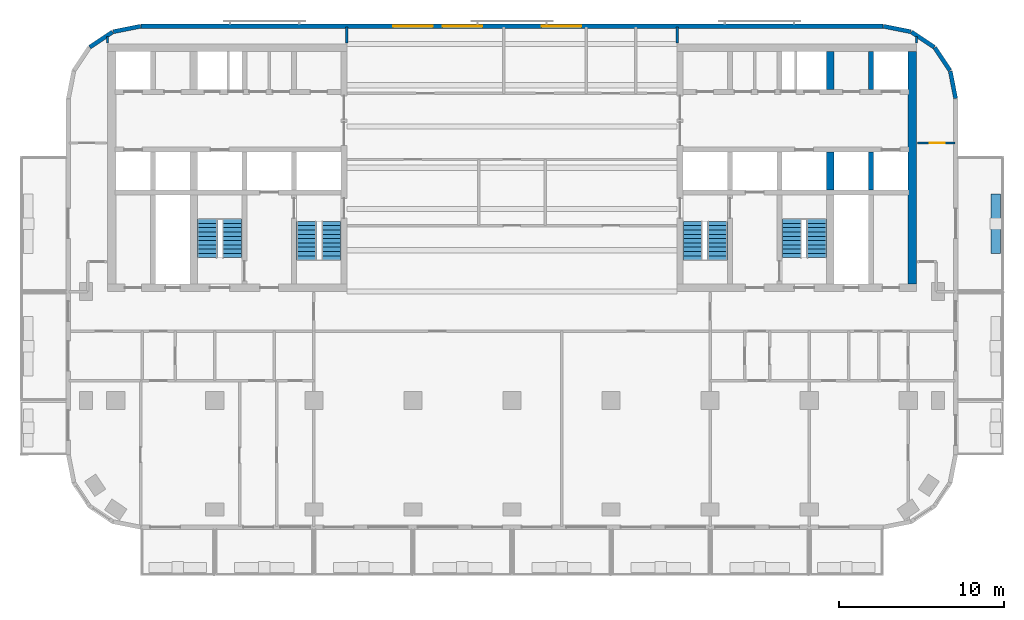
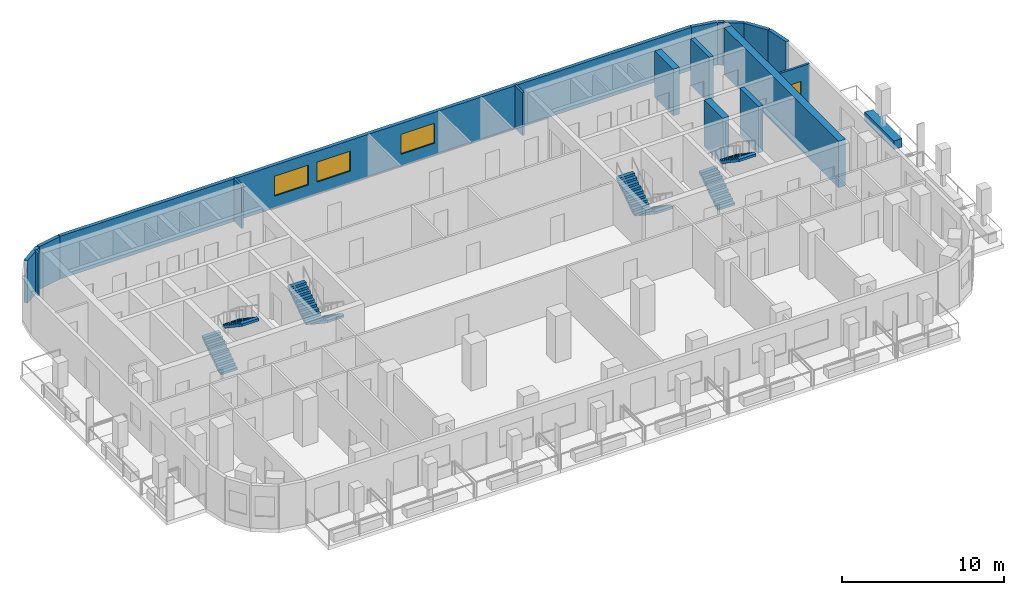
# One storey, part 7 of 11: 18 walls, 8 stair flights, 3 windows, 1 door, 4 openings, 4 elements without a shape of their own.
"""IFC4 building model written with IfcOpenShell, lengths in metres."""

import ifcopenshell
import ifcopenshell.guid

model = None  # the IFC model being written
_history = None  # IfcOwnerHistory: only IFC2X3 demands one
_inside = {}  # id of a spatial element -> (the spatial element, [elements in it])
_under = {}  # id of a project, library or spatial element -> (it, [spatial elements below it])
_declared = {}  # id of a project -> (the project, [libraries it declares])
_typed = {}  # id of a type object -> (the type object, [elements of that type])
_made_of = {}  # id of a material, layer set ... -> (it, [elements and type objects made of it])


def new_model(schema):
    """Start an empty IFC model of exactly this schema.

    Asked for "IFC4X3", IfcOpenShell would pick the latest addendum, in which some entities
    have other attributes; the version numbers below select the first issue.
    IFC2X3 requires an IfcOwnerHistory on every rooted entity: one is made here for all.
    """
    global model, _history
    if schema == "IFC4X3":
        model = ifcopenshell.file(schema_version=(4, 3, 0, 0))
    else:
        model = ifcopenshell.file(schema=schema)
    _inside.clear()
    _under.clear()
    _declared.clear()
    _typed.clear()
    _made_of.clear()
    _history = None
    if model.schema == "IFC2X3":
        org = make("IfcOrganization", Name="unknown")
        user = make(
            "IfcPersonAndOrganization",
            ThePerson=make("IfcPerson", FamilyName="unknown"),
            TheOrganization=org,
        )
        app = make(
            "IfcApplication",
            ApplicationDeveloper=org,
            Version="unknown",
            ApplicationFullName="unknown",
            ApplicationIdentifier="unknown",
        )
        _history = make(
            "IfcOwnerHistory",
            OwningUser=user,
            OwningApplication=app,
            ChangeAction="ADDED",
            CreationDate=0,
        )
    return model


def make(cls, **values):
    """One entity of the class cls with the attributes given. An attribute that is None is left unset."""
    return model.create_entity(
        cls, **{name: value for name, value in values.items() if value is not None}
    )


def rooted(cls, **values):
    """An entity with a GlobalId (a new one), such as an element, a storey or a relation."""
    return make(cls, GlobalId=ifcopenshell.guid.new(), OwnerHistory=_history, **values)


def si_unit(unit_type, name, prefix=None):
    """IfcSIUnit, for example si_unit("LENGTHUNIT", "METRE", prefix="MILLI")."""
    return make("IfcSIUnit", UnitType=unit_type, Prefix=prefix, Name=name)


def assignment(units):
    """IfcUnitAssignment: the units of a project."""
    return None if units is None else make("IfcUnitAssignment", Units=units)


def point(xyz):
    """IfcCartesianPoint."""
    return None if xyz is None else make("IfcCartesianPoint", Coordinates=xyz)


def direction(xyz):
    """IfcDirection."""
    return None if xyz is None else make("IfcDirection", DirectionRatios=xyz)


def frame(location, z_axis=None, x_axis=None):
    """IfcAxis2Placement3D, a coordinate frame: its origin and axes. An axis left out is left unset."""
    return make(
        "IfcAxis2Placement3D",
        Location=point(location),
        Axis=direction(z_axis),
        RefDirection=direction(x_axis),
    )


def frame_2d(location, x_axis=None):
    """IfcAxis2Placement2D, a coordinate frame in the plane: its origin and x axis."""
    return make(
        "IfcAxis2Placement2D", Location=point(location), RefDirection=direction(x_axis)
    )


def origin():
    """The frame at (0, 0, 0) with its axes left unset."""
    return frame((0.0, 0.0, 0.0))


def place(relative_to, where):
    """IfcLocalPlacement: puts the frame where relative to a parent placement (None: the world)."""
    return make(
        "IfcLocalPlacement", PlacementRelTo=relative_to, RelativePlacement=where
    )


def context(
    kind, dimensions, precision=None, world=None, true_north=None, identifier=None
):
    """IfcGeometricRepresentationContext, for example the 3D "Model" context."""
    return make(
        "IfcGeometricRepresentationContext",
        ContextIdentifier=identifier,
        ContextType=kind,
        CoordinateSpaceDimension=dimensions,
        Precision=precision,
        WorldCoordinateSystem=world,
        TrueNorth=true_north,
    )


def subcontext(parent, identifier, kind, view, scale=None):
    """IfcGeometricRepresentationSubContext, for example "Body" below "Model"."""
    return make(
        "IfcGeometricRepresentationSubContext",
        ContextIdentifier=identifier,
        ContextType=kind,
        ParentContext=parent,
        TargetScale=scale,
        TargetView=view,
    )


def project(units=None, contexts=None):
    """IfcProject with its units and contexts."""
    return rooted(
        "IfcProject",
        Name="project",
        RepresentationContexts=contexts,
        UnitsInContext=assignment(units),
    )


def spatial(cls, under=None, at=None, **own):
    """A site, building, storey or space (cls), placed at a placement, below another one or the project."""
    s = rooted(cls, ObjectPlacement=at, **own)
    if under is not None:
        _under.setdefault(under.id(), (under, []))[1].append(s)
    return s


def polyline(points):
    """IfcPolyline through the points."""
    return make("IfcPolyline", Points=[point(p) for p in points])


def profile(cls, at=None, kind="AREA", **sizes):
    """A parametric profile (cls). Its sizes go by their IFC names, for example OverallWidth=200.0."""
    return make(cls, ProfileType=kind, Position=at, **sizes)


def rectangle(**sizes):
    """IfcRectangleProfileDef."""
    return profile("IfcRectangleProfileDef", **sizes)


def outline(outer, holes=None, kind="AREA"):
    """IfcArbitraryClosedProfileDef: a profile drawn as a closed curve; with holes, ...WithVoids."""
    if holes is None:
        return make("IfcArbitraryClosedProfileDef", ProfileType=kind, OuterCurve=outer)
    return make(
        "IfcArbitraryProfileDefWithVoids",
        ProfileType=kind,
        OuterCurve=outer,
        InnerCurves=holes,
    )


def extrude(swept, where, along, depth):
    """IfcExtrudedAreaSolid: the profile swept, set in the frame where, extruded along a direction by depth."""
    return make(
        "IfcExtrudedAreaSolid",
        SweptArea=swept,
        Position=where,
        ExtrudedDirection=direction(along),
        Depth=depth,
    )


def shape(context_of_items, identifier, shape_type, items):
    """IfcShapeRepresentation: the items that make up one representation, for example the "Body"."""
    return make(
        "IfcShapeRepresentation",
        ContextOfItems=context_of_items,
        RepresentationIdentifier=identifier,
        RepresentationType=shape_type,
        Items=items,
    )


def material(Name=None, Category=None):
    """IfcMaterial."""
    return make("IfcMaterial", Name=Name, Category=Category)


def layer(
    of_material, thickness, ventilated=None, Name=None, Category=None, Priority=None
):
    """IfcMaterialLayer: one layer of a wall or slab, of a material (None: an air gap)."""
    return make(
        "IfcMaterialLayer",
        Material=of_material,
        LayerThickness=thickness,
        IsVentilated=ventilated,
        Name=Name,
        Category=Category,
        Priority=Priority,
    )


def layer_set(layers, Name=None):
    """IfcMaterialLayerSet."""
    return make("IfcMaterialLayerSet", MaterialLayers=layers, LayerSetName=Name)


def made_of(thing, what):
    """Note that an element or type object is made of a material, layer set ...; save() writes the relation."""
    if what is not None:
        _made_of.setdefault(what.id(), (what, []))[1].append(thing)
    return thing


def type_object(cls, material=None, **own):
    """A type object (cls), such as IfcWallType, which elements share."""
    return made_of(rooted(cls, **own), material)


def element(
    cls,
    number,
    at=None,
    inside=None,
    cuts=None,
    type_object=None,
    material=None,
    context=None,
    identifier="Body",
    shape_type=None,
    held_by="IfcProductDefinitionShape",
    body=None,
    shapes=None,
    **own,
):
    """One element of the class cls, such as IfcWall. Its Tag is "e" and its number.

    at: its placement. inside: the storey or other place that contains it. cuts: it is an
    opening in that element (IfcRelVoidsElement). A single representation is given by context,
    identifier, shape_type and body (its items); several are given by shapes. held_by: the class
    of the entity that holds the representations. save() writes the other relations.
    """
    e = rooted(cls, Tag="e%d" % number, ObjectPlacement=at, **own)
    if body is not None:
        shapes = [shape(context, identifier, shape_type, body)]
    if shapes is not None:
        e.Representation = make(held_by, Representations=shapes)
    if inside is not None:
        _inside.setdefault(inside.id(), (inside, []))[1].append(e)
    if cuts is not None:
        rooted(
            "IfcRelVoidsElement", RelatingBuildingElement=cuts, RelatedOpeningElement=e
        )
    if type_object is not None:
        _typed.setdefault(type_object.id(), (type_object, []))[1].append(e)
    return made_of(e, material)


def fill(opening, filler):
    """IfcRelFillsElement: the door or window that sits in an opening."""
    return rooted(
        "IfcRelFillsElement",
        RelatingOpeningElement=opening,
        RelatedBuildingElement=filler,
    )


def aggregate(whole, parts):
    """IfcRelAggregates: a whole, such as a stair, and the parts it consists of."""
    return rooted("IfcRelAggregates", RelatingObject=whole, RelatedObjects=parts)


def save(model, path):
    """Write the relations noted so far, then the file.

    IfcRelAggregates (storeys below a building ...), IfcRelContainedInSpatialStructure (elements
    in a storey), IfcRelDefinesByType, IfcRelAssociatesMaterial and IfcRelDeclares: one each for
    every whole, place, type object, material and project.
    """
    for whole, parts in _under.values():
        aggregate(whole, parts)
    for where, things in _inside.values():
        rooted(
            "IfcRelContainedInSpatialStructure",
            RelatedElements=things,
            RelatingStructure=where,
        )
    for kind, things in _typed.values():
        rooted("IfcRelDefinesByType", RelatedObjects=things, RelatingType=kind)
    for what, things in _made_of.values():
        rooted("IfcRelAssociatesMaterial", RelatedObjects=things, RelatingMaterial=what)
    for by, libraries in _declared.values():
        rooted("IfcRelDeclares", RelatingContext=by, RelatedDefinitions=libraries)
    model.write(path)


model = new_model("IFC4")

# Units and contexts
model_context = context("Model", 3, precision=1e-05, world=origin(), true_north=direction((0.0, 1.0)))
body_context = subcontext(model_context, "Body", "Model", "MODEL_VIEW")
ifc_project = project(units=[si_unit("LENGTHUNIT", "METRE"), si_unit("AREAUNIT", "SQUARE_METRE"), si_unit("VOLUMEUNIT", "CUBIC_METRE"), si_unit("PLANEANGLEUNIT", "RADIAN"), si_unit("MASSUNIT", "GRAM", prefix="KILO")], contexts=[model_context])

# Site, building, storey
site_placement = place(None, origin())
site = spatial("IfcSite", under=ifc_project, at=site_placement, CompositionType="ELEMENT")
building_placement = place(site_placement, origin())
building = spatial("IfcBuilding", under=site, at=building_placement, Name="Torana Hotel and Residences", CompositionType="ELEMENT")
storey_placement = place(building_placement, frame((0.0, 0.0, 208.10009765625)))
storey = spatial("IfcBuildingStorey", under=building, at=storey_placement, Name="L54", CompositionType="ELEMENT", Elevation=208.10009765625)

# Walls
ifc_material_1 = material(Name="Concrete C70/85", Category="concrete")
ifc_layer_1 = layer(ifc_material_1, 0.300048828125)
ifc_layer_set_1 = layer_set([ifc_layer_1], Name="CORE WALL 300 C70/85")
wall_type_1 = type_object("IfcWallType", Name="CORE WALL 300 C70/85", PredefinedType="SHEAR", material=ifc_layer_set_1)
for number, where, z_axis, x_axis, name in (
    (1, (21.75, -2.75, 0.0), (0.0, 0.0, 1.0), (0.0, 1.0, 0.0), "Core wall E mm-N"),
    (2, (21.75, -8.85009765625, 0.0), (0.0, 0.0, 1.0), (0.0, 1.0, 0.0), "Core wall E mm-S"),
):
    element("IfcWall", number, at=place(storey_placement, frame(where, z_axis=z_axis, x_axis=x_axis)), inside=storey, type_object=wall_type_1, Name=name, PredefinedType="SHEAR", context=body_context, shape_type="SweptSolid", body=[
        extrude(rectangle(XDim=2.300048828125, YDim=0.300048828125, at=frame_2d((1.14990234375, 0.0))), origin(), (0.0, 0.0, 1.0), 3.5),
    ])
ifc_material_2 = material(Name="Concrete C70/85", Category="concrete")
ifc_layer_2 = layer(ifc_material_2, 0.449951171875)
ifc_layer_set_2 = layer_set([ifc_layer_2], Name="CORE WALL 450 C70/85")
wall_type_2 = type_object("IfcWallType", Name="CORE WALL 450 C70/85", PredefinedType="SHEAR", material=ifc_layer_set_2)
for number, where, z_axis, x_axis, name in (
    (3, (19.27490234375, -2.75, 0.0), (0.0, 0.0, 1.0), (0.0, 1.0, 0.0), "Core wall E hm-N"),
    (4, (19.27490234375, -8.85009765625, 0.0), (0.0, 0.0, 1.0), (0.0, 1.0, 0.0), "Core wall E hm-S"),
):
    element("IfcWall", number, at=place(storey_placement, frame(where, z_axis=z_axis, x_axis=x_axis)), inside=storey, type_object=wall_type_2, Name=name, PredefinedType="SHEAR", context=body_context, shape_type="SweptSolid", body=[
        extrude(rectangle(XDim=2.300048828125, YDim=0.449951171875, at=frame_2d((1.14990234375, 0.0))), origin(), (0.0, 0.0, 1.0), 3.5),
    ])
ifc_material_3 = material(Name="Concrete C70/85", Category="concrete")
ifc_layer_3 = layer(ifc_material_3, 0.5)
ifc_layer_set_3 = layer_set([ifc_layer_3], Name="CORE WALL 500 C70/85")
wall_type_3 = type_object("IfcWallType", Name="CORE WALL 500 C70/85", PredefinedType="SHEAR", material=ifc_layer_set_3)
wall_1_placement = place(storey_placement, frame((24.25, -14.550048828125, 0.0), z_axis=(0.0, 0.0, 1.0), x_axis=(0.0, 1.0, 0.0)))
element("IfcWall", 5, at=wall_1_placement, inside=storey, type_object=wall_type_3, Name="Core wall E outer", PredefinedType="SHEAR", context=body_context, shape_type="SweptSolid", body=[
    extrude(rectangle(XDim=14.10009765625, YDim=0.5, at=frame_2d((7.050048828125, 0.0))), origin(), (0.0, 0.0, 1.0), 3.5),
])
ifc_material_4 = material(Name="Black aluminium composite panel", Category="aluminium")
ifc_layer_4 = layer(ifc_material_4, 0.00390625, Name="Cladding", Category="cladding")
ifc_material_5 = material(Name="Ventilated air cavity")
ifc_layer_5 = layer(ifc_material_5, 0.0400390625, Name="Ventilated cavity", Category="cavity")
ifc_material_6 = material(Name="Mineral wool insulation")
ifc_layer_6 = layer(ifc_material_6, 0.090087890625, Name="Insulation", Category="insulation")
ifc_material_7 = material(Name="Steel S280GD", Category="steel")
ifc_layer_7 = layer(ifc_material_7, 0.092041015625, Name="Steel stud frame", Category="structure")
ifc_material_8 = material(Name="Fire rated plasterboard")
ifc_layer_8 = layer(ifc_material_8, 0.011962890625, Name="Inner board", Category="finish")
ifc_layer_9 = layer(ifc_material_8, 0.011962890625, Name="Second board", Category="finish")
ifc_layer_set_4 = layer_set([ifc_layer_4, ifc_layer_5, ifc_layer_6, ifc_layer_7, ifc_layer_8, ifc_layer_9], Name="EW1 EXTERNAL WALL BLACK METAL CLAD 250")
wall_type_4 = type_object("IfcWallType", Name="EW1 EXTERNAL WALL BLACK METAL CLAD 250", PredefinedType="SOLIDWALL", material=ifc_layer_set_4)
wall_2_placement = place(storey_placement, frame((26.87255859375, -3.30029296875, 0.0), z_axis=(0.0, 0.0, 1.0), x_axis=(-0.194999110559, 0.980803419081, 0.0)))
element("IfcWall", 6, at=wall_2_placement, inside=storey, type_object=wall_type_4, Name="External wall L54 e0.0", PredefinedType="SOLIDWALL", context=body_context, shape_type="SweptSolid", body=[
    extrude(rectangle(XDim=1.681396484375, YDim=0.25, at=frame_2d((0.8408203125, 0.0))), origin(), (0.0, 0.0, 1.0), 3.219970703125),
])
for number, where, z_axis, x_axis, name in (
    (7, (26.52587890625, -1.60595703125, 0.0), (0.0, 0.0, 1.0), (-0.55555029066, 0.831482937015, 0.0), "External wall L54 e0.1"),
    (8, (25.5712890625, -0.1943359375, 0.0), (0.0, 0.0, 1.0), (-0.831482937015, 0.55555029066, 0.0), "External wall L54 e0.2"),
):
    element("IfcWall", number, at=place(storey_placement, frame(where, z_axis=z_axis, x_axis=x_axis)), inside=storey, type_object=wall_type_4, Name=name, PredefinedType="SOLIDWALL", context=body_context, shape_type="SweptSolid", body=[
        extrude(rectangle(XDim=1.65625, YDim=0.25, at=frame_2d((0.828125, 0.0))), origin(), (0.0, 0.0, 1.0), 3.219970703125),
    ])
for number, where, z_axis, x_axis, name in (
    (9, (24.14892578125, 0.74462890625, 0.0), (0.0, 0.0, 1.0), (-0.980803419081, 0.194999110559, 0.0), "External wall L54 e0.3"),
    (10, (-22.499755859375, 1.072509765625, 0.0), (0.0, 0.0, 1.0), (-0.980803419081, -0.194999110559, 0.0), "External wall L54 e0.5"),
):
    element("IfcWall", number, at=place(storey_placement, frame(where, z_axis=z_axis, x_axis=x_axis)), inside=storey, type_object=wall_type_4, Name=name, PredefinedType="SOLIDWALL", context=body_context, shape_type="SweptSolid", body=[
        extrude(rectangle(XDim=1.681396484375, YDim=0.25, at=frame_2d((0.8408203125, 0.0))), origin(), (0.0, 0.0, 1.0), 3.219970703125),
    ])
wall_3_placement = place(storey_placement, frame((-24.194091796875, 0.725830078125, 0.0), z_axis=(0.0, 0.0, 1.0), x_axis=(-0.831482937015, -0.55555029066, 0.0)))
element("IfcWall", 11, at=wall_3_placement, inside=storey, type_object=wall_type_4, Name="External wall L54 e0.6", PredefinedType="SOLIDWALL", context=body_context, shape_type="SweptSolid", body=[
    extrude(rectangle(XDim=1.65625, YDim=0.25, at=frame_2d((0.828125, 0.0))), origin(), (0.0, 0.0, 1.0), 3.219970703125),
])

# Wall, openings, windows
ifc_material_9 = material(Name="Concrete C40/50 precast", Category="concrete")
ifc_layer_10 = layer(ifc_material_9, 0.10009765625, Name="Perforated block", Category="cladding")
ifc_material_10 = material(Name="Air cavity")
ifc_layer_11 = layer(ifc_material_10, 0.030029296875, Name="Cavity", Category="cavity")
ifc_material_11 = material(Name="Concrete C40/50", Category="concrete")
ifc_layer_12 = layer(ifc_material_11, 0.10009765625, Name="Wall", Category="structure")
ifc_material_12 = material(Name="Plaster and paint")
ifc_layer_13 = layer(ifc_material_12, 0.02001953125, Name="Inner finish", Category="finish")
ifc_layer_set_5 = layer_set([ifc_layer_10, ifc_layer_11, ifc_layer_12, ifc_layer_13], Name="EW2 PERFORATED BLOCK SCREEN WALL 250")
wall_type_5 = type_object("IfcWallType", Name="EW2 PERFORATED BLOCK SCREEN WALL 250", PredefinedType="SOLIDWALL", material=ifc_layer_set_5)
wall_4_placement = place(storey_placement, frame((22.475341796875, 1.074951171875, 0.0), z_axis=(0.0, 0.0, 1.0), x_axis=(-1.0, 0.0, 0.0)))
wall_4 = element("IfcWall", 12, at=wall_4_placement, inside=storey, type_object=wall_type_5, Name="External wall L54 e0.4", PredefinedType="SOLIDWALL", context=body_context, shape_type="SweptSolid", body=[
    extrude(rectangle(XDim=44.95068359375, YDim=0.25, at=frame_2d((22.475341796875, 0.0))), origin(), (0.0, 0.0, 1.0), 3.219970703125),
])
opening_1_placement = place(wall_4_placement, frame((18.275390625, 0.0, 0.89990234375)))
opening_1 = element("IfcOpeningElement", 13, at=opening_1_placement, cuts=wall_4, Name="Opening W3", PredefinedType="OPENING", context=body_context, shape_type="SweptSolid", body=[
    extrude(rectangle(XDim=2.39990234375, YDim=1.5, at=frame_2d((1.199951171875, 0.75))), frame((0.0, 0.135009765625, 0.0), z_axis=(0.0, -1.0, 0.0), x_axis=(1.0, 0.0, 0.0)), (0.0, 0.0, 1.0), 0.27001953125),
])
opening_2_placement = place(wall_4_placement, frame((24.275390625, 0.0, 0.89990234375)))
opening_2 = element("IfcOpeningElement", 14, at=opening_2_placement, cuts=wall_4, Name="Opening W3", PredefinedType="OPENING", context=body_context, shape_type="SweptSolid", body=[
    extrude(rectangle(XDim=2.39990234375, YDim=1.5, at=frame_2d((1.199951171875, 0.75))), frame((0.0, 0.135009765625, 0.0), z_axis=(0.0, -1.0, 0.0), x_axis=(1.0, 0.0, 0.0)), (0.0, 0.0, 1.0), 0.27001953125),
])
opening_3_placement = place(wall_4_placement, frame((27.275390625, 0.0, 0.89990234375)))
opening_3 = element("IfcOpeningElement", 15, at=opening_3_placement, cuts=wall_4, Name="Opening W3", PredefinedType="OPENING", context=body_context, shape_type="SweptSolid", body=[
    extrude(rectangle(XDim=2.39990234375, YDim=1.5, at=frame_2d((1.199951171875, 0.75))), frame((0.0, 0.135009765625, 0.0), z_axis=(0.0, -1.0, 0.0), x_axis=(1.0, 0.0, 0.0)), (0.0, 0.0, 1.0), 0.27001953125),
])
ifc_material_13 = material(Name="Dark glass in black aluminium frame", Category="aluminium")
window_type = type_object("IfcWindowType", Name="W3 RESIDENCE WINDOW 2400x1500", PartitioningType="SINGLE_PANEL", PredefinedType="WINDOW", material=ifc_material_13)
window_1_placement = place(opening_1_placement, origin())
window_1 = element("IfcWindow", 16, at=window_1_placement, inside=storey, type_object=window_type, Name="Window L54", OverallHeight=1.5, OverallWidth=2.39990234375, PartitioningType="SINGLE_PANEL", PredefinedType="WINDOW", context=body_context, shape_type="SweptSolid", body=[
    extrude(rectangle(XDim=2.39990234375, YDim=1.5, at=frame_2d((1.199951171875, 0.75))), frame((0.0, 0.030029296875, 0.0), z_axis=(0.0, -1.0, 0.0), x_axis=(1.0, 0.0, 0.0)), (0.0, 0.0, 1.0), 0.06005859375),
])
fill(opening_1, window_1)
window_2_placement = place(opening_2_placement, origin())
window_2 = element("IfcWindow", 17, at=window_2_placement, inside=storey, type_object=window_type, Name="Window L54", OverallHeight=1.5, OverallWidth=2.39990234375, PartitioningType="SINGLE_PANEL", PredefinedType="WINDOW", context=body_context, shape_type="SweptSolid", body=[
    extrude(rectangle(XDim=2.39990234375, YDim=1.5, at=frame_2d((1.199951171875, 0.75))), frame((0.0, 0.030029296875, 0.0), z_axis=(0.0, -1.0, 0.0), x_axis=(1.0, 0.0, 0.0)), (0.0, 0.0, 1.0), 0.06005859375),
])
fill(opening_2, window_2)
window_3_placement = place(opening_3_placement, origin())
window_3 = element("IfcWindow", 18, at=window_3_placement, inside=storey, type_object=window_type, Name="Window L54", OverallHeight=1.5, OverallWidth=2.39990234375, PartitioningType="SINGLE_PANEL", PredefinedType="WINDOW", context=body_context, shape_type="SweptSolid", body=[
    extrude(rectangle(XDim=2.39990234375, YDim=1.5, at=frame_2d((1.199951171875, 0.75))), frame((0.0, 0.030029296875, 0.0), z_axis=(0.0, -1.0, 0.0), x_axis=(1.0, 0.0, 0.0)), (0.0, 0.0, 1.0), 0.06005859375),
])
fill(opening_3, window_3)

# Walls
ifc_material_14 = material(Name="Gypsum plasterboard")
ifc_layer_14 = layer(ifc_material_14, 0.012451171875, Name="Plasterboard", Category="finish")
ifc_layer_15 = layer(ifc_material_14, 0.012451171875, Name="Plasterboard", Category="finish")
ifc_layer_16 = layer(ifc_material_7, 0.10009765625, Name="Steel studs with mineral wool", Category="insulation")
ifc_layer_17 = layer(ifc_material_14, 0.012451171875, Name="Plasterboard", Category="finish")
ifc_layer_18 = layer(ifc_material_14, 0.012451171875, Name="Plasterboard", Category="finish")
ifc_layer_set_6 = layer_set([ifc_layer_14, ifc_layer_15, ifc_layer_16, ifc_layer_17, ifc_layer_18], Name="PARTITION 150 PLASTERBOARD")
wall_type_6 = type_object("IfcWallType", Name="PARTITION 150 PLASTERBOARD", PredefinedType="PARTITIONING", material=ifc_layer_set_6)
wall_5_placement = place(storey_placement, frame((24.5, 0.050048828125, 0.0), z_axis=(0.0, 0.0, 1.0), x_axis=(0.0, 1.0, 0.0)))
element("IfcWall", 19, at=wall_5_placement, inside=storey, type_object=wall_type_6, Name="Partition L54", PredefinedType="PARTITIONING", context=body_context, shape_type="SweptSolid", body=[
    extrude(rectangle(XDim=0.4052734375, YDim=0.14990234375, at=frame_2d((0.20263671875, 0.0))), origin(), (0.0, 0.0, 1.0), 3.219970703125),
])
wall_6_placement = place(storey_placement, frame((-10.0, 0.050048828125, 0.0), z_axis=(0.0, 0.0, 1.0), x_axis=(0.0, 1.0, 0.0)))
element("IfcWall", 20, at=wall_6_placement, inside=storey, type_object=wall_type_6, Name="Partition L54", PredefinedType="PARTITIONING", context=body_context, shape_type="SweptSolid", body=[
    extrude(rectangle(XDim=0.969970703125, YDim=0.14990234375, at=frame_2d((0.48486328125, 0.0))), origin(), (0.0, 0.0, 1.0), 3.219970703125),
])
wall_7_placement = place(storey_placement, frame((-24.5, 0.050048828125, 0.0), z_axis=(0.0, 0.0, 1.0), x_axis=(0.0, 1.0, 0.0)))
element("IfcWall", 21, at=wall_7_placement, inside=storey, type_object=wall_type_6, Name="Partition L54", PredefinedType="PARTITIONING", context=body_context, shape_type="SweptSolid", body=[
    extrude(rectangle(XDim=0.4052734375, YDim=0.14990234375, at=frame_2d((0.20263671875, 0.0))), origin(), (0.0, 0.0, 1.0), 3.219970703125),
])

# Wall, opening, door
wall_8_placement = place(storey_placement, frame((24.550048828125, -6.0, 0.0), z_axis=(0.0, 0.0, 1.0), x_axis=(1.0, 0.0, 0.0)))
wall_8 = element("IfcWall", 22, at=wall_8_placement, inside=storey, type_object=wall_type_6, Name="Partition L54", PredefinedType="PARTITIONING", context=body_context, shape_type="SweptSolid", body=[
    extrude(rectangle(XDim=2.27001953125, YDim=0.14990234375, at=frame_2d((1.135009765625, 0.0))), origin(), (0.0, 0.0, 1.0), 3.219970703125),
])
opening_4_placement = place(wall_8_placement, frame((0.75, 0.0, 0.0)))
opening_4 = element("IfcOpeningElement", 23, at=opening_4_placement, cuts=wall_8, Name="Opening L54-65", PredefinedType="OPENING", context=body_context, shape_type="SweptSolid", body=[
    extrude(rectangle(XDim=0.89990234375, YDim=2.10009765625, at=frame_2d((0.449951171875, 1.050048828125))), frame((0.0, 0.0849609375, 0.0), z_axis=(0.0, -1.0, 0.0), x_axis=(1.0, 0.0, 0.0)), (0.0, 0.0, 1.0), 0.169921875),
])
ifc_material_15 = material(Name="Timber door, oiled ash", Category="wood")
door_type = type_object("IfcDoorType", Name="ROOM DOOR D7 900x2100", OperationType="SINGLE_SWING_LEFT", PredefinedType="DOOR", material=ifc_material_15)
door_placement = place(opening_4_placement, origin())
door = element("IfcDoor", 24, at=door_placement, inside=storey, type_object=door_type, Name="Door L54", OperationType="SINGLE_SWING_LEFT", OverallHeight=2.10009765625, OverallWidth=0.89990234375, PredefinedType="DOOR", context=body_context, shape_type="SweptSolid", body=[
    extrude(rectangle(XDim=0.89990234375, YDim=2.10009765625, at=frame_2d((0.449951171875, 1.050048828125))), frame((0.0, 0.02490234375, 0.0), z_axis=(0.0, -1.0, 0.0), x_axis=(1.0, 0.0, 0.0)), (0.0, 0.0, 1.0), 0.050048828125),
])
fill(opening_4, door)

# Walls
ifc_layer_19 = layer(ifc_material_9, 0.10009765625, Name="Planter shell", Category="structure")
ifc_material_16 = material(Name="Root resistant membrane")
ifc_layer_20 = layer(ifc_material_16, 0.00390625, Name="Waterproofing membrane", Category="membrane")
ifc_material_17 = material(Name="Drainage board with filter fleece")
ifc_layer_21 = layer(ifc_material_17, 0.02001953125, Name="Drainage board", Category="drainage")
ifc_material_18 = material(Name="Growing medium")
ifc_layer_22 = layer(ifc_material_18, 0.47607421875, Name="Planting substrate", Category="soil")
ifc_layer_set_7 = layer_set([ifc_layer_19, ifc_layer_20, ifc_layer_21, ifc_layer_22], Name="PL1 BALCONY PLANTER 600")
wall_type_7 = type_object("IfcWallType", Name="PL1 BALCONY PLANTER 600", PredefinedType="USERDEFINED", material=ifc_layer_set_7)
wall_9_placement = place(storey_placement, frame((29.300048828125, -9.10009765625, 0.0), z_axis=(0.0, 0.0, 1.0), x_axis=(0.0, -1.0, 0.0)))
element("IfcWall", 25, at=wall_9_placement, inside=storey, type_object=wall_type_7, Name="Planter 14", ObjectType="PLANTER", PredefinedType="USERDEFINED", context=body_context, shape_type="SweptSolid", body=[
    extrude(rectangle(XDim=3.599853515625, YDim=0.60009765625, at=frame_2d((1.7998046875, 0.0))), origin(), (0.0, 0.0, 1.0), 0.64990234375),
])
ifc_material_19 = material(Name="Ceramic tile on adhesive")
ifc_layer_23 = layer(ifc_material_19, 0.010009765625, Name="Wall tile", Category="finish")
ifc_material_20 = material(Name="Cement render")
ifc_layer_24 = layer(ifc_material_20, 0.010009765625, Name="Render", Category="finish")
ifc_material_21 = material(Name="Concrete blockwork", Category="masonry")
ifc_layer_25 = layer(ifc_material_21, 0.110107421875, Name="Blockwork", Category="structure")
ifc_layer_26 = layer(ifc_material_20, 0.010009765625, Name="Render", Category="finish")
ifc_layer_27 = layer(ifc_material_19, 0.010009765625, Name="Wall tile", Category="finish")
ifc_layer_set_8 = layer_set([ifc_layer_23, ifc_layer_24, ifc_layer_25, ifc_layer_26, ifc_layer_27], Name="WC PARTITION 150")
wall_type_8 = type_object("IfcWallType", Name="WC PARTITION 150", PredefinedType="PLUMBINGWALL", material=ifc_layer_set_8)
wall_10_placement = place(storey_placement, frame((10.0, 0.050048828125, 0.0), z_axis=(0.0, 0.0, 1.0), x_axis=(0.0, 1.0, 0.0)))
element("IfcWall", 26, at=wall_10_placement, inside=storey, type_object=wall_type_8, Name="Partition L54", PredefinedType="PLUMBINGWALL", context=body_context, shape_type="SweptSolid", body=[
    extrude(rectangle(XDim=0.969970703125, YDim=0.14990234375, at=frame_2d((0.48486328125, 0.0))), origin(), (0.0, 0.0, 1.0), 3.219970703125),
])

# Stair, stair flights
ifc_material_22 = material(Name="Concrete C40/50 precast", Category="concrete")
stair_type_1 = type_object("IfcStairType", Name="STAIR ST1 HALF TURN 1200", PredefinedType="HALF_TURN_STAIR", material=ifc_material_22)
stair_1_placement = place(storey_placement, origin())
stair_1 = element("IfcStair", 27, at=stair_1_placement, inside=storey, type_object=stair_type_1, Name="Stair ST1 L54", PredefinedType="HALF_TURN_STAIR")
ifc_material_23 = material(Name="Concrete C40/50 precast", Category="concrete")
stair_flight_type = type_object("IfcStairFlightType", Name="STAIR FLIGHT 1200 PRECAST", PredefinedType="STRAIGHT", material=ifc_material_23)
stair_flight_1_placement = place(storey_placement, frame((-10.949951171875, -10.75, 0.0), z_axis=(0.0, 0.0, 1.0), x_axis=(0.0, -1.0, 0.0)))
stair_flight_1 = element("IfcStairFlight", 28, at=stair_flight_1_placement, type_object=stair_flight_type, Name="ST1 flight 1", NumberOfRisers=10, NumberOfTreads=9, PredefinedType="STRAIGHT", RiserHeight=0.175, TreadLength=0.26, context=body_context, shape_type="SweptSolid", body=[
    extrude(outline(polyline([(0.0, 0.0), (0.0, 0.175048828125), (0.260009765625, 0.175048828125), (0.260009765625, 0.35009765625), (0.52001953125, 0.35009765625), (0.52001953125, 0.52490234375), (0.780029296875, 0.52490234375), (0.780029296875, 0.699951171875), (1.0400390625, 0.699951171875), (1.0400390625, 0.875), (1.300048828125, 0.875), (1.300048828125, 1.050048828125), (1.56005859375, 1.050048828125), (1.56005859375, 1.22509765625), (1.820068359375, 1.22509765625), (1.820068359375, 1.39990234375), (2.080078125, 1.39990234375), (2.080078125, 1.574951171875), (2.340087890625, 1.574951171875), (2.340087890625, 1.75), (2.340087890625, 1.394287109375), (0.2685546875, 0.0), (0.0, 0.0)])), frame((0.0, 0.60009765625, 0.0), z_axis=(0.0, -1.0, 0.0), x_axis=(1.0, 0.0, 0.0)), (0.0, 0.0, 1.0), 1.199951171875),
])
stair_flight_2_placement = place(storey_placement, frame((-12.449951171875, -13.090087890625, 1.75), z_axis=(0.0, 0.0, 1.0), x_axis=(0.0, 1.0, 0.0)))
stair_flight_2 = element("IfcStairFlight", 29, at=stair_flight_2_placement, type_object=stair_flight_type, Name="ST1 flight 2", NumberOfRisers=10, NumberOfTreads=9, PredefinedType="STRAIGHT", RiserHeight=0.175, TreadLength=0.26, context=body_context, shape_type="SweptSolid", body=[
    extrude(outline(polyline([(0.0, 0.0), (0.0, 0.175048828125), (0.260009765625, 0.175048828125), (0.260009765625, 0.35009765625), (0.52001953125, 0.35009765625), (0.52001953125, 0.52490234375), (0.780029296875, 0.52490234375), (0.780029296875, 0.699951171875), (1.0400390625, 0.699951171875), (1.0400390625, 0.875), (1.300048828125, 0.875), (1.300048828125, 1.050048828125), (1.56005859375, 1.050048828125), (1.56005859375, 1.22509765625), (1.820068359375, 1.22509765625), (1.820068359375, 1.39990234375), (2.080078125, 1.39990234375), (2.080078125, 1.574951171875), (2.340087890625, 1.574951171875), (2.340087890625, 1.75), (2.340087890625, 1.394287109375), (0.2685546875, 0.0), (0.0, 0.0)])), frame((0.0, 0.60009765625, 0.0), z_axis=(0.0, -1.0, 0.0), x_axis=(1.0, 0.0, 0.0)), (0.0, 0.0, 1.0), 1.199951171875),
])
aggregate(stair_1, [stair_flight_1, stair_flight_2])

ifc_material_24 = material(Name="Concrete C40/50 precast", Category="concrete")
stair_type_2 = type_object("IfcStairType", Name="STAIR ST2 HALF TURN 1200", PredefinedType="HALF_TURN_STAIR", material=ifc_material_24)
stair_2_placement = place(storey_placement, origin())
stair_2 = element("IfcStair", 30, at=stair_2_placement, inside=storey, type_object=stair_type_2, Name="Stair ST2 L54", PredefinedType="HALF_TURN_STAIR")
stair_flight_3_placement = place(storey_placement, frame((-18.449951171875, -12.949951171875, 0.0), z_axis=(0.0, 0.0, 1.0), x_axis=(0.0, 1.0, 0.0)))
stair_flight_3 = element("IfcStairFlight", 31, at=stair_flight_3_placement, type_object=stair_flight_type, Name="ST2 flight 1", NumberOfRisers=10, NumberOfTreads=9, PredefinedType="STRAIGHT", RiserHeight=0.175, TreadLength=0.26, context=body_context, shape_type="SweptSolid", body=[
    extrude(outline(polyline([(0.0, 0.0), (0.0, 0.175048828125), (0.260009765625, 0.175048828125), (0.260009765625, 0.35009765625), (0.52001953125, 0.35009765625), (0.52001953125, 0.52490234375), (0.780029296875, 0.52490234375), (0.780029296875, 0.699951171875), (1.0400390625, 0.699951171875), (1.0400390625, 0.875), (1.300048828125, 0.875), (1.300048828125, 1.050048828125), (1.56005859375, 1.050048828125), (1.56005859375, 1.22509765625), (1.820068359375, 1.22509765625), (1.820068359375, 1.39990234375), (2.080078125, 1.39990234375), (2.080078125, 1.574951171875), (2.340087890625, 1.574951171875), (2.340087890625, 1.75), (2.340087890625, 1.394287109375), (0.2685546875, 0.0), (0.0, 0.0)])), frame((0.0, 0.60009765625, 0.0), z_axis=(0.0, -1.0, 0.0), x_axis=(1.0, 0.0, 0.0)), (0.0, 0.0, 1.0), 1.199951171875),
])
stair_flight_4_placement = place(storey_placement, frame((-16.949951171875, -10.610107421875, 1.75), z_axis=(0.0, 0.0, 1.0), x_axis=(0.0, -1.0, 0.0)))
stair_flight_4 = element("IfcStairFlight", 32, at=stair_flight_4_placement, type_object=stair_flight_type, Name="ST2 flight 2", NumberOfRisers=10, NumberOfTreads=9, PredefinedType="STRAIGHT", RiserHeight=0.175, TreadLength=0.26, context=body_context, shape_type="SweptSolid", body=[
    extrude(outline(polyline([(0.0, 0.0), (0.0, 0.175048828125), (0.260009765625, 0.175048828125), (0.260009765625, 0.35009765625), (0.52001953125, 0.35009765625), (0.52001953125, 0.52490234375), (0.780029296875, 0.52490234375), (0.780029296875, 0.699951171875), (1.0400390625, 0.699951171875), (1.0400390625, 0.875), (1.300048828125, 0.875), (1.300048828125, 1.050048828125), (1.56005859375, 1.050048828125), (1.56005859375, 1.22509765625), (1.820068359375, 1.22509765625), (1.820068359375, 1.39990234375), (2.080078125, 1.39990234375), (2.080078125, 1.574951171875), (2.340087890625, 1.574951171875), (2.340087890625, 1.75), (2.340087890625, 1.394287109375), (0.2685546875, 0.0), (0.0, 0.0)])), frame((0.0, 0.60009765625, 0.0), z_axis=(0.0, -1.0, 0.0), x_axis=(1.0, 0.0, 0.0)), (0.0, 0.0, 1.0), 1.199951171875),
])
aggregate(stair_2, [stair_flight_3, stair_flight_4])

ifc_material_25 = material(Name="Concrete C40/50 precast", Category="concrete")
stair_type_3 = type_object("IfcStairType", Name="STAIR ST3 HALF TURN 1200", PredefinedType="HALF_TURN_STAIR", material=ifc_material_25)
stair_3_placement = place(storey_placement, origin())
stair_3 = element("IfcStair", 33, at=stair_3_placement, inside=storey, type_object=stair_type_3, Name="Stair ST3 L54", PredefinedType="HALF_TURN_STAIR")
stair_flight_5_placement = place(storey_placement, frame((12.449951171875, -10.75, 0.0), z_axis=(0.0, 0.0, 1.0), x_axis=(0.0, -1.0, 0.0)))
stair_flight_5 = element("IfcStairFlight", 34, at=stair_flight_5_placement, type_object=stair_flight_type, Name="ST3 flight 1", NumberOfRisers=10, NumberOfTreads=9, PredefinedType="STRAIGHT", RiserHeight=0.175, TreadLength=0.26, context=body_context, shape_type="SweptSolid", body=[
    extrude(outline(polyline([(0.0, 0.0), (0.0, 0.175048828125), (0.260009765625, 0.175048828125), (0.260009765625, 0.35009765625), (0.52001953125, 0.35009765625), (0.52001953125, 0.52490234375), (0.780029296875, 0.52490234375), (0.780029296875, 0.699951171875), (1.0400390625, 0.699951171875), (1.0400390625, 0.875), (1.300048828125, 0.875), (1.300048828125, 1.050048828125), (1.56005859375, 1.050048828125), (1.56005859375, 1.22509765625), (1.820068359375, 1.22509765625), (1.820068359375, 1.39990234375), (2.080078125, 1.39990234375), (2.080078125, 1.574951171875), (2.340087890625, 1.574951171875), (2.340087890625, 1.75), (2.340087890625, 1.394287109375), (0.2685546875, 0.0), (0.0, 0.0)])), frame((0.0, 0.60009765625, 0.0), z_axis=(0.0, -1.0, 0.0), x_axis=(1.0, 0.0, 0.0)), (0.0, 0.0, 1.0), 1.199951171875),
])
stair_flight_6_placement = place(storey_placement, frame((10.949951171875, -13.090087890625, 1.75), z_axis=(0.0, 0.0, 1.0), x_axis=(0.0, 1.0, 0.0)))
stair_flight_6 = element("IfcStairFlight", 35, at=stair_flight_6_placement, type_object=stair_flight_type, Name="ST3 flight 2", NumberOfRisers=10, NumberOfTreads=9, PredefinedType="STRAIGHT", RiserHeight=0.175, TreadLength=0.26, context=body_context, shape_type="SweptSolid", body=[
    extrude(outline(polyline([(0.0, 0.0), (0.0, 0.175048828125), (0.260009765625, 0.175048828125), (0.260009765625, 0.35009765625), (0.52001953125, 0.35009765625), (0.52001953125, 0.52490234375), (0.780029296875, 0.52490234375), (0.780029296875, 0.699951171875), (1.0400390625, 0.699951171875), (1.0400390625, 0.875), (1.300048828125, 0.875), (1.300048828125, 1.050048828125), (1.56005859375, 1.050048828125), (1.56005859375, 1.22509765625), (1.820068359375, 1.22509765625), (1.820068359375, 1.39990234375), (2.080078125, 1.39990234375), (2.080078125, 1.574951171875), (2.340087890625, 1.574951171875), (2.340087890625, 1.75), (2.340087890625, 1.394287109375), (0.2685546875, 0.0), (0.0, 0.0)])), frame((0.0, 0.60009765625, 0.0), z_axis=(0.0, -1.0, 0.0), x_axis=(1.0, 0.0, 0.0)), (0.0, 0.0, 1.0), 1.199951171875),
])
aggregate(stair_3, [stair_flight_5, stair_flight_6])

ifc_material_26 = material(Name="Concrete C40/50 precast", Category="concrete")
stair_type_4 = type_object("IfcStairType", Name="STAIR ST4 HALF TURN 1200", PredefinedType="HALF_TURN_STAIR", material=ifc_material_26)
stair_4_placement = place(storey_placement, origin())
stair_4 = element("IfcStair", 36, at=stair_4_placement, inside=storey, type_object=stair_type_4, Name="Stair ST4 L54", PredefinedType="HALF_TURN_STAIR")
stair_flight_7_placement = place(storey_placement, frame((16.949951171875, -12.949951171875, 0.0), z_axis=(0.0, 0.0, 1.0), x_axis=(0.0, 1.0, 0.0)))
stair_flight_7 = element("IfcStairFlight", 37, at=stair_flight_7_placement, type_object=stair_flight_type, Name="ST4 flight 1", NumberOfRisers=10, NumberOfTreads=9, PredefinedType="STRAIGHT", RiserHeight=0.175, TreadLength=0.26, context=body_context, shape_type="SweptSolid", body=[
    extrude(outline(polyline([(0.0, 0.0), (0.0, 0.175048828125), (0.260009765625, 0.175048828125), (0.260009765625, 0.35009765625), (0.52001953125, 0.35009765625), (0.52001953125, 0.52490234375), (0.780029296875, 0.52490234375), (0.780029296875, 0.699951171875), (1.0400390625, 0.699951171875), (1.0400390625, 0.875), (1.300048828125, 0.875), (1.300048828125, 1.050048828125), (1.56005859375, 1.050048828125), (1.56005859375, 1.22509765625), (1.820068359375, 1.22509765625), (1.820068359375, 1.39990234375), (2.080078125, 1.39990234375), (2.080078125, 1.574951171875), (2.340087890625, 1.574951171875), (2.340087890625, 1.75), (2.340087890625, 1.394287109375), (0.2685546875, 0.0), (0.0, 0.0)])), frame((0.0, 0.60009765625, 0.0), z_axis=(0.0, -1.0, 0.0), x_axis=(1.0, 0.0, 0.0)), (0.0, 0.0, 1.0), 1.199951171875),
])
stair_flight_8_placement = place(storey_placement, frame((18.449951171875, -10.610107421875, 1.75), z_axis=(0.0, 0.0, 1.0), x_axis=(0.0, -1.0, 0.0)))
stair_flight_8 = element("IfcStairFlight", 38, at=stair_flight_8_placement, type_object=stair_flight_type, Name="ST4 flight 2", NumberOfRisers=10, NumberOfTreads=9, PredefinedType="STRAIGHT", RiserHeight=0.175, TreadLength=0.26, context=body_context, shape_type="SweptSolid", body=[
    extrude(outline(polyline([(0.0, 0.0), (0.0, 0.175048828125), (0.260009765625, 0.175048828125), (0.260009765625, 0.35009765625), (0.52001953125, 0.35009765625), (0.52001953125, 0.52490234375), (0.780029296875, 0.52490234375), (0.780029296875, 0.699951171875), (1.0400390625, 0.699951171875), (1.0400390625, 0.875), (1.300048828125, 0.875), (1.300048828125, 1.050048828125), (1.56005859375, 1.050048828125), (1.56005859375, 1.22509765625), (1.820068359375, 1.22509765625), (1.820068359375, 1.39990234375), (2.080078125, 1.39990234375), (2.080078125, 1.574951171875), (2.340087890625, 1.574951171875), (2.340087890625, 1.75), (2.340087890625, 1.394287109375), (0.2685546875, 0.0), (0.0, 0.0)])), frame((0.0, 0.60009765625, 0.0), z_axis=(0.0, -1.0, 0.0), x_axis=(1.0, 0.0, 0.0)), (0.0, 0.0, 1.0), 1.199951171875),
])
aggregate(stair_4, [stair_flight_7, stair_flight_8])

save(model, "model.ifc")
